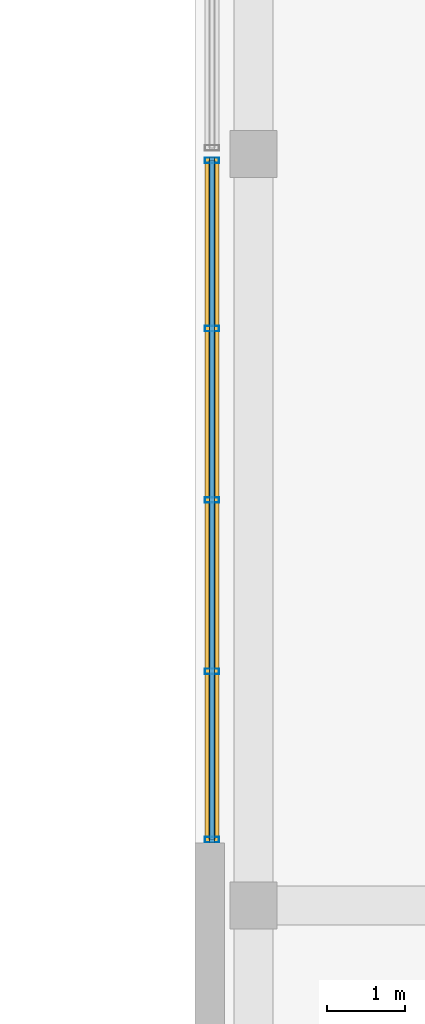
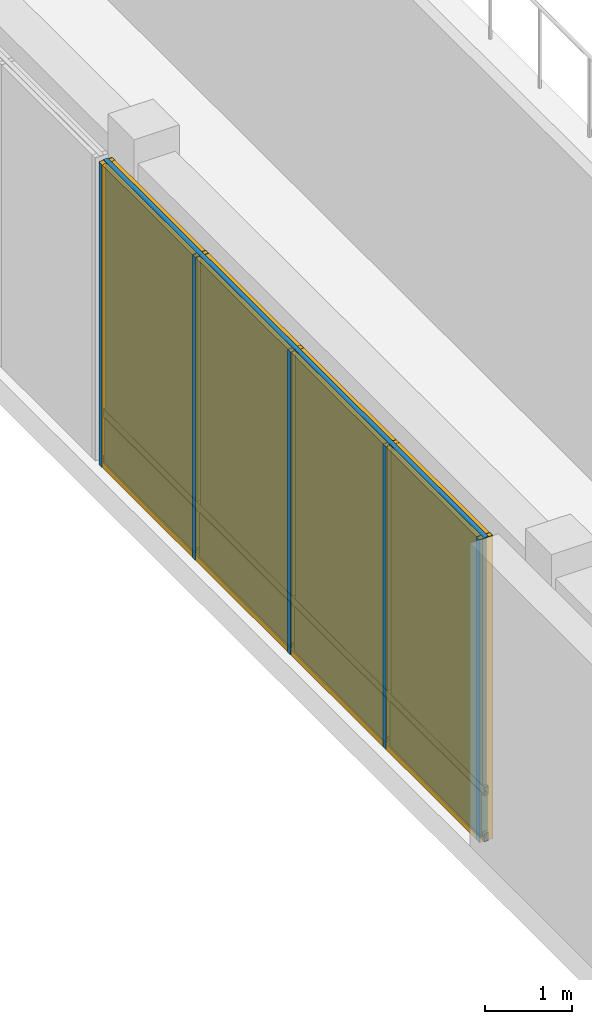
# One storey, part 16 of 24: 8 members, 8 plates, 1 curtain wall.
"""IFC4 building model written with IfcOpenShell, lengths in metres."""

from ifc_helpers import new_model, si_unit, direction, frame, frame_2d, origin, origin_2d, place, context, subcontext, project, spatial, rectangle, hollow_rectangle, extrude, material, layer, layer_set, material_profile, profile_set, type_object, element, aggregate, save


model = new_model("IFC4")

# Units and contexts
model_context = context("Model", 3, precision=1e-05, world=origin(), true_north=direction((0.0, 1.0)))
body_context = subcontext(model_context, "Body", "Model", "MODEL_VIEW")
ifc_project = project(units=[si_unit("LENGTHUNIT", "METRE"), si_unit("AREAUNIT", "SQUARE_METRE"), si_unit("VOLUMEUNIT", "CUBIC_METRE"), si_unit("PLANEANGLEUNIT", "RADIAN"), si_unit("MASSUNIT", "GRAM", prefix="KILO")], contexts=[model_context])

# Member
ifc_material_1 = material(Name="Anodized Aluminium 6063-T6", Category="aluminium")
ifc_material_profile_1 = material_profile(ifc_material_1, hollow_rectangle(XDim=0.070068359375, YDim=0.179931640625, WallThickness=0.00390625, at=origin_2d()), Name="Anodized Aluminium 6063-T6")
ifc_profile_set_1 = profile_set([ifc_material_profile_1], Name="Anodized Aluminium 6063-T6")
member_type_1 = type_object("IfcMemberType", Name="Curtain Wall Mullion 180", PredefinedType="MULLION", material=ifc_profile_set_1)
site_placement = place(None, origin())
building_placement = place(site_placement, origin())
storey_placement = place(building_placement, frame((0.0, 0.0, 15.0)))
member_1_placement = place(storey_placement, frame((85.419921875, 20.0400390625, 0.0), z_axis=(0.0, 0.0, 1.0), x_axis=(0.0, 1.0, 0.0)))
member_1 = element("IfcMember", 1, at=member_1_placement, type_object=member_type_1, Name="Curtain Wall Mullion CW-L03-LREAD-1-M01", PredefinedType="MULLION", context=body_context, shape_type="SweptSolid", body=[
    extrude(hollow_rectangle(XDim=0.070068359375, YDim=0.179931640625, WallThickness=0.00390625, at=origin_2d()), origin(), (0.0, 0.0, 1.0), 4.25),
])

member_2_placement = place(storey_placement, frame((85.419921875, 22.18994140625, 0.0), z_axis=(0.0, 0.0, 1.0), x_axis=(0.0, 1.0, 0.0)))
member_2 = element("IfcMember", 2, at=member_2_placement, type_object=member_type_1, Name="Curtain Wall Mullion CW-L03-LREAD-1-M02", PredefinedType="MULLION", context=body_context, shape_type="SweptSolid", body=[
    extrude(hollow_rectangle(XDim=0.070068359375, YDim=0.179931640625, WallThickness=0.00390625, at=origin_2d()), origin(), (0.0, 0.0, 1.0), 4.25),
])

member_3_placement = place(storey_placement, frame((85.419921875, 24.3798828125, 0.0), z_axis=(0.0, 0.0, 1.0), x_axis=(0.0, 1.0, 0.0)))
member_3 = element("IfcMember", 3, at=member_3_placement, type_object=member_type_1, Name="Curtain Wall Mullion CW-L03-LREAD-1-M03", PredefinedType="MULLION", context=body_context, shape_type="SweptSolid", body=[
    extrude(hollow_rectangle(XDim=0.070068359375, YDim=0.179931640625, WallThickness=0.00390625, at=origin_2d()), origin(), (0.0, 0.0, 1.0), 4.25),
])

member_4_placement = place(storey_placement, frame((85.419921875, 26.570068359375, 0.0), z_axis=(0.0, 0.0, 1.0), x_axis=(0.0, 1.0, 0.0)))
member_4 = element("IfcMember", 4, at=member_4_placement, type_object=member_type_1, Name="Curtain Wall Mullion CW-L03-LREAD-1-M04", PredefinedType="MULLION", context=body_context, shape_type="SweptSolid", body=[
    extrude(hollow_rectangle(XDim=0.070068359375, YDim=0.179931640625, WallThickness=0.00390625, at=origin_2d()), origin(), (0.0, 0.0, 1.0), 4.25),
])

member_5_placement = place(storey_placement, frame((85.419921875, 28.719970703125, 0.0), z_axis=(0.0, 0.0, 1.0), x_axis=(0.0, 1.0, 0.0)))
member_5 = element("IfcMember", 5, at=member_5_placement, type_object=member_type_1, Name="Curtain Wall Mullion CW-L03-LREAD-1-M05", PredefinedType="MULLION", context=body_context, shape_type="SweptSolid", body=[
    extrude(hollow_rectangle(XDim=0.070068359375, YDim=0.179931640625, WallThickness=0.00390625, at=origin_2d()), origin(), (0.0, 0.0, 1.0), 4.25),
])

ifc_material_profile_2 = material_profile(ifc_material_1, hollow_rectangle(XDim=0.06005859375, YDim=0.1201171875, WallThickness=0.00341796875, at=origin_2d()), Name="Anodized Aluminium 6063-T6")
ifc_profile_set_2 = profile_set([ifc_material_profile_2], Name="Anodized Aluminium 6063-T6")
member_type_2 = type_object("IfcMemberType", Name="Curtain Wall Transom 120", PredefinedType="USERDEFINED", material=ifc_profile_set_2)
member_6_placement = place(storey_placement, frame((85.419921875, 20.0, 0.050048828125), z_axis=(0.0, 1.0, 0.0), x_axis=(-1.0, 0.0, 0.0)))
member_6 = element("IfcMember", 6, at=member_6_placement, type_object=member_type_2, Name="Curtain Wall Transom CW-L03-LREAD-1-T01", ObjectType="TRANSOM", PredefinedType="USERDEFINED", context=body_context, shape_type="SweptSolid", body=[
    extrude(hollow_rectangle(XDim=0.06005859375, YDim=0.1201171875, WallThickness=0.00341796875, at=origin_2d()), origin(), (0.0, 0.0, 1.0), 8.760009765625),
])

member_7_placement = place(storey_placement, frame((85.419921875, 20.0, 0.699951171875), z_axis=(0.0, 1.0, 0.0), x_axis=(-1.0, 0.0, 0.0)))
member_7 = element("IfcMember", 7, at=member_7_placement, type_object=member_type_2, Name="Curtain Wall Transom CW-L03-LREAD-1-T02", ObjectType="TRANSOM", PredefinedType="USERDEFINED", context=body_context, shape_type="SweptSolid", body=[
    extrude(hollow_rectangle(XDim=0.06005859375, YDim=0.1201171875, WallThickness=0.00341796875, at=origin_2d()), origin(), (0.0, 0.0, 1.0), 8.760009765625),
])

member_8_placement = place(storey_placement, frame((85.419921875, 20.0, 4.199951171875), z_axis=(0.0, 1.0, 0.0), x_axis=(-1.0, 0.0, 0.0)))
member_8 = element("IfcMember", 8, at=member_8_placement, type_object=member_type_2, Name="Curtain Wall Transom CW-L03-LREAD-1-T03", ObjectType="TRANSOM", PredefinedType="USERDEFINED", context=body_context, shape_type="SweptSolid", body=[
    extrude(hollow_rectangle(XDim=0.06005859375, YDim=0.1201171875, WallThickness=0.00341796875, at=origin_2d()), origin(), (0.0, 0.0, 1.0), 8.760009765625),
])

# Plate
ifc_material_2 = material(Name="Bird-Friendly Fritted Triple Glazing", Category="glass")
ifc_layer_1 = layer(ifc_material_2, 0.052001953125, Name="Bird-Friendly Fritted Triple Glazing")
ifc_layer_set_1 = layer_set([ifc_layer_1], Name="Bird-Friendly Fritted Triple Glazing")
plate_type_1 = type_object("IfcPlateType", Name="Plate CWGlazing 52", PredefinedType="CURTAIN_PANEL", material=ifc_layer_set_1)
plate_1_placement = place(storey_placement, frame((85.419921875, 21.094970703125, 0.740234375), z_axis=(0.0, 0.0, 1.0), x_axis=(0.0, 1.0, 0.0)))
plate_1 = element("IfcPlate", 9, at=plate_1_placement, type_object=plate_type_1, Name="Vision Glazing Panel CW-L03-LREAD-1-GL01", PredefinedType="CURTAIN_PANEL", context=body_context, shape_type="SweptSolid", body=[
    extrude(rectangle(XDim=2.110107421875, YDim=0.052001953125, at=origin_2d()), origin(), (0.0, 0.0, 1.0), 3.469970703125),
])

plate_2_placement = place(storey_placement, frame((85.419921875, 23.284912109375, 0.740234375), z_axis=(0.0, 0.0, 1.0), x_axis=(0.0, 1.0, 0.0)))
plate_2 = element("IfcPlate", 10, at=plate_2_placement, type_object=plate_type_1, Name="Vision Glazing Panel CW-L03-LREAD-1-GL02", PredefinedType="CURTAIN_PANEL", context=body_context, shape_type="SweptSolid", body=[
    extrude(rectangle(XDim=2.110107421875, YDim=0.052001953125, at=origin_2d()), origin(), (0.0, 0.0, 1.0), 3.469970703125),
])

plate_3_placement = place(storey_placement, frame((85.419921875, 25.47509765625, 0.740234375), z_axis=(0.0, 0.0, 1.0), x_axis=(0.0, 1.0, 0.0)))
plate_3 = element("IfcPlate", 11, at=plate_3_placement, type_object=plate_type_1, Name="Vision Glazing Panel CW-L03-LREAD-1-GL03", PredefinedType="CURTAIN_PANEL", context=body_context, shape_type="SweptSolid", body=[
    extrude(rectangle(XDim=2.110107421875, YDim=0.052001953125, at=origin_2d()), origin(), (0.0, 0.0, 1.0), 3.469970703125),
])

plate_4_placement = place(storey_placement, frame((85.419921875, 27.6650390625, 0.740234375), z_axis=(0.0, 0.0, 1.0), x_axis=(0.0, 1.0, 0.0)))
plate_4 = element("IfcPlate", 12, at=plate_4_placement, type_object=plate_type_1, Name="Vision Glazing Panel CW-L03-LREAD-1-GL04", PredefinedType="CURTAIN_PANEL", context=body_context, shape_type="SweptSolid", body=[
    extrude(rectangle(XDim=2.110107421875, YDim=0.052001953125, at=origin_2d()), origin(), (0.0, 0.0, 1.0), 3.469970703125),
])

ifc_material_3 = material(Name="Insulated Aluminium Spandrel Panel", Category="aluminium")
ifc_layer_2 = layer(ifc_material_3, 0.080078125, Name="Insulated Aluminium Spandrel Panel")
ifc_layer_set_2 = layer_set([ifc_layer_2], Name="Insulated Aluminium Spandrel Panel")
plate_type_2 = type_object("IfcPlateType", Name="Plate CWSpandrel 80", PredefinedType="SHEET", material=ifc_layer_set_2)
plate_5_placement = place(storey_placement, frame((85.419921875, 21.094970703125, 0.0400390625), z_axis=(0.0, 0.0, 1.0), x_axis=(0.0, 1.0, 0.0)))
plate_5 = element("IfcPlate", 13, at=plate_5_placement, type_object=plate_type_2, Name="Spandrel Panel CW-L03-LREAD-1-SP01", PredefinedType="SHEET", context=body_context, shape_type="SweptSolid", body=[
    extrude(rectangle(XDim=2.110107421875, YDim=0.080078125, at=origin_2d()), origin(), (0.0, 0.0, 1.0), 0.6201171875),
])

plate_6_placement = place(storey_placement, frame((85.419921875, 23.284912109375, 0.0400390625), z_axis=(0.0, 0.0, 1.0), x_axis=(0.0, 1.0, 0.0)))
plate_6 = element("IfcPlate", 14, at=plate_6_placement, type_object=plate_type_2, Name="Spandrel Panel CW-L03-LREAD-1-SP02", PredefinedType="SHEET", context=body_context, shape_type="SweptSolid", body=[
    extrude(rectangle(XDim=2.110107421875, YDim=0.080078125, at=origin_2d()), origin(), (0.0, 0.0, 1.0), 0.6201171875),
])

plate_7_placement = place(storey_placement, frame((85.419921875, 25.47509765625, 0.0400390625), z_axis=(0.0, 0.0, 1.0), x_axis=(0.0, 1.0, 0.0)))
plate_7 = element("IfcPlate", 15, at=plate_7_placement, type_object=plate_type_2, Name="Spandrel Panel CW-L03-LREAD-1-SP03", PredefinedType="SHEET", context=body_context, shape_type="SweptSolid", body=[
    extrude(rectangle(XDim=2.110107421875, YDim=0.080078125, at=origin_2d()), origin(), (0.0, 0.0, 1.0), 0.6201171875),
])

plate_8_placement = place(storey_placement, frame((85.419921875, 27.6650390625, 0.0400390625), z_axis=(0.0, 0.0, 1.0), x_axis=(0.0, 1.0, 0.0)))
plate_8 = element("IfcPlate", 16, at=plate_8_placement, type_object=plate_type_2, Name="Spandrel Panel CW-L03-LREAD-1-SP04", PredefinedType="SHEET", context=body_context, shape_type="SweptSolid", body=[
    extrude(rectangle(XDim=2.110107421875, YDim=0.080078125, at=origin_2d()), origin(), (0.0, 0.0, 1.0), 0.6201171875),
])

# Site, building, storey
site = spatial("IfcSite", under=ifc_project, at=site_placement, CompositionType="ELEMENT")
building = spatial("IfcBuilding", under=site, at=building_placement, Name="Norrvale University Quadrangle", CompositionType="ELEMENT")
storey = spatial("IfcBuildingStorey", under=building, at=storey_placement, Name="L03", CompositionType="ELEMENT", Elevation=15.0)

# Curtain wall
ifc_material_4 = material(Name="Anodized Aluminium and Triple Glazing", Category="glass")
curtain_wall_type = type_object("IfcCurtainWallType", Name="Curtain Wall System 4 Lib Reading", PredefinedType="NOTDEFINED", material=ifc_material_4)
curtain_wall_placement = place(storey_placement, frame((85.419921875, 20.0, 0.0), z_axis=(0.0, 0.0, 1.0), x_axis=(0.0, 1.0, 0.0)))
curtain_wall = element("IfcCurtainWall", 17, at=curtain_wall_placement, inside=storey, type_object=curtain_wall_type, Name="Curtain Wall CW System 4 Lib Reading CW-L03-LREAD-1", PredefinedType="NOTDEFINED", context=body_context, shape_type="SweptSolid", body=[
    extrude(rectangle(XDim=8.760009765625, YDim=0.175048828125, at=frame_2d((4.3798828125, 0.0))), origin(), (0.0, 0.0, 1.0), 4.25),
])

aggregate(curtain_wall, [member_1, member_2, member_3, member_4, member_5, member_6, member_7, member_8, plate_5, plate_1, plate_6, plate_2, plate_7, plate_3, plate_8, plate_4])

save(model, "model.ifc")
